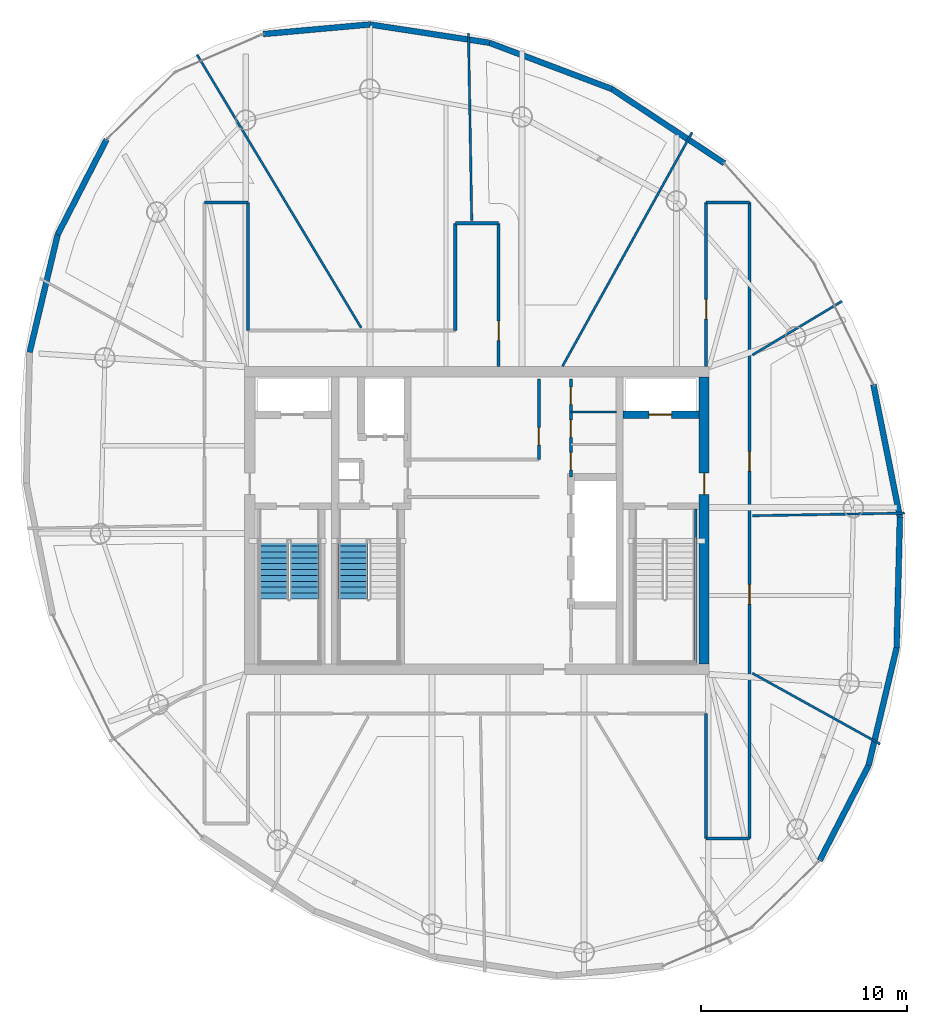
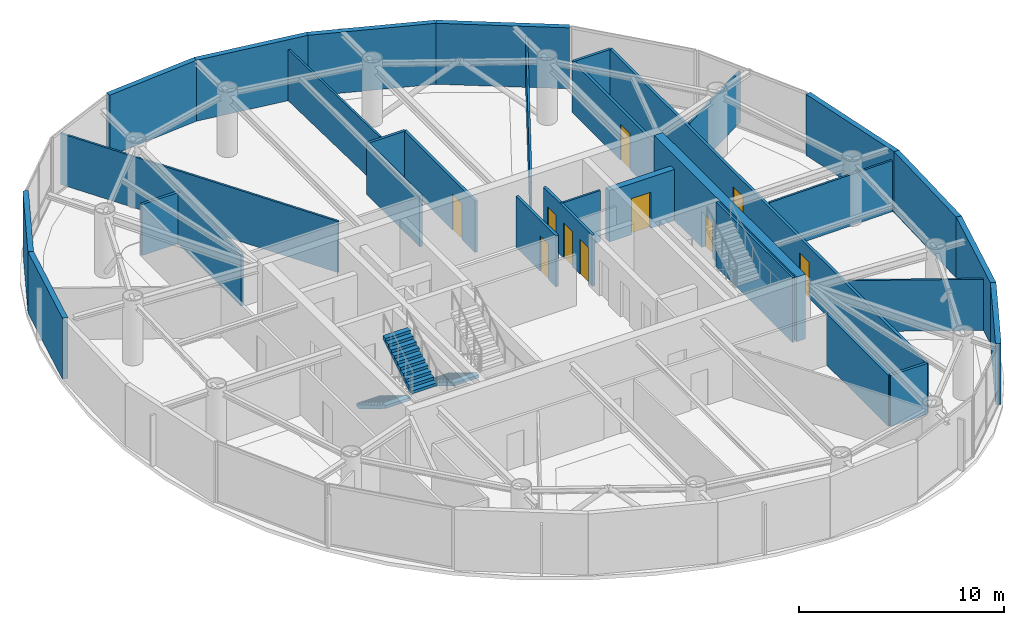
# One storey, part 17 of 21: 32 walls, 10 doors, 3 stair flights, 10 openings, 2 elements without a shape of their own.
"""IFC4 building model written with IfcOpenShell, lengths in metres."""

from ifc_helpers import new_model, si_unit, direction, frame, frame_2d, origin, place, context, subcontext, project, spatial, polyline, rectangle, outline, extrude, material, layer, layer_set, type_object, element, fill, aggregate, save


model = new_model("IFC4")

# Units and contexts
model_context = context("Model", 3, precision=1e-05, world=origin(), true_north=direction((0.0, 1.0)))
body_context = subcontext(model_context, "Body", "Model", "MODEL_VIEW")
ifc_project = project(units=[si_unit("LENGTHUNIT", "METRE"), si_unit("AREAUNIT", "SQUARE_METRE"), si_unit("VOLUMEUNIT", "CUBIC_METRE"), si_unit("PLANEANGLEUNIT", "RADIAN"), si_unit("MASSUNIT", "GRAM", prefix="KILO")], contexts=[model_context])

# Site, building, storey
site_placement = place(None, origin())
site = spatial("IfcSite", under=ifc_project, at=site_placement, CompositionType="ELEMENT")
building_placement = place(site_placement, origin())
building = spatial("IfcBuilding", under=site, at=building_placement, Name="Bramvorn Convention Spire", CompositionType="ELEMENT")
storey_placement = place(building_placement, frame((0.0, 0.0, 257.449951171875)))
storey = spatial("IfcBuildingStorey", under=building, at=storey_placement, Name="L65", CompositionType="ELEMENT", Elevation=257.449951171875)

# Wall, opening, door
ifc_material_1 = material(Name="Concrete C50/60", Category="concrete")
ifc_layer_1 = layer(ifc_material_1, 0.5)
ifc_layer_set_1 = layer_set([ifc_layer_1], Name="Concrete C50/60 - WL-CORE-500")
wall_type_1 = type_object("IfcWallType", Name="WL-CORE-500", PredefinedType="SHEAR", material=ifc_layer_set_1)
wall_1_placement = place(storey_placement, frame((49.0, 19.050048828125, 0.0), z_axis=(0.0, 0.0, 1.0), x_axis=(0.0, 1.0, 0.0)))
wall_1 = element("IfcWall", 1, at=wall_1_placement, inside=storey, type_object=wall_type_1, Name="L65 East RC core shear wall", PredefinedType="SHEAR", context=body_context, shape_type="SweptSolid", body=[
    extrude(rectangle(XDim=13.89990234375, YDim=0.5, at=frame_2d((6.949951171875, 0.0))), origin(), (0.0, 0.0, 1.0), 3.85009765625),
])
opening_1_placement = place(wall_1_placement, frame((8.199951171875, 0.0, 0.0)))
opening_1 = element("IfcOpeningElement", 2, at=opening_1_placement, cuts=wall_1, Name="Opening DL-105", PredefinedType="OPENING", context=body_context, shape_type="SweptSolid", body=[
    extrude(rectangle(XDim=1.050048828125, YDim=2.14990234375, at=frame_2d((0.52490234375, 1.074951171875))), frame((0.0, 0.260009765625, 0.0), z_axis=(0.0, -1.0, 0.0), x_axis=(1.0, 0.0, 0.0)), (0.0, 0.0, 1.0), 0.52001953125),
])
ifc_material_2 = material(Name="Smoke-Sealed Fire Lobby Timber-Core Door", Category="wood")
door_type_1 = type_object("IfcDoorType", Name="DR-LOBBY-1050", OperationType="NOTDEFINED", PredefinedType="DOOR", material=ifc_material_2)
door_1_placement = place(opening_1_placement, origin())
door_1 = element("IfcDoor", 3, at=door_1_placement, inside=storey, type_object=door_type_1, Name="L65 East Firefighting Lobby corridor door", OperationType="SINGLE_SWING_LEFT", OverallHeight=2.14990234375, OverallWidth=1.050048828125, PredefinedType="DOOR", context=body_context, shape_type="SweptSolid", body=[
    extrude(rectangle(XDim=1.050048828125, YDim=2.14990234375, at=frame_2d((0.52490234375, 1.074951171875))), frame((0.0, 0.02490234375, 0.0), z_axis=(0.0, -1.0, 0.0), x_axis=(1.0, 0.0, 0.0)), (0.0, 0.0, 1.0), 0.050048828125),
])
fill(opening_1, door_1)

ifc_layer_2 = layer(ifc_material_1, 0.35009765625)
ifc_layer_set_2 = layer_set([ifc_layer_2], Name="Concrete C50/60 - WL-CORE-INT-350")
wall_type_2 = type_object("IfcWallType", Name="WL-CORE-INT-350", PredefinedType="SHEAR", material=ifc_layer_set_2)
wall_2_placement = place(storey_placement, frame((45.080078125, 31.1201171875, 0.0), z_axis=(0.0, 0.0, 1.0), x_axis=(1.0, 0.0, 0.0)))
wall_2 = element("IfcWall", 4, at=wall_2_placement, inside=storey, type_object=wall_type_2, Name="L65 FE2 shaft front wall", PredefinedType="SHEAR", context=body_context, shape_type="SweptSolid", body=[
    extrude(rectangle(XDim=3.669921875, YDim=0.35009765625, at=frame_2d((1.8349609375, 0.0))), origin(), (0.0, 0.0, 1.0), 3.0400390625),
])
opening_2_placement = place(wall_2_placement, frame((1.25, 0.0, 0.0)))
opening_2 = element("IfcOpeningElement", 5, at=opening_2_placement, cuts=wall_2, Name="Opening LD-110", PredefinedType="OPENING", context=body_context, shape_type="SweptSolid", body=[
    extrude(rectangle(XDim=1.10009765625, YDim=2.14990234375, at=frame_2d((0.550048828125, 1.074951171875))), frame((0.0, 0.18505859375, 0.0), z_axis=(0.0, -1.0, 0.0), x_axis=(1.0, 0.0, 0.0)), (0.0, 0.0, 1.0), 0.3701171875),
])
ifc_material_3 = material(Name="Firefighting & Service Lift Sliding Landing Door", Category="steel")
door_type_2 = type_object("IfcDoorType", Name="DR-LIFT-LD-1100", OperationType="NOTDEFINED", PredefinedType="DOOR", material=ifc_material_3)
door_2_placement = place(opening_2_placement, origin())
door_2 = element("IfcDoor", 6, at=door_2_placement, inside=storey, type_object=door_type_2, Name="L65 Lift FE2 Sliding Landing Door", OperationType="SLIDING_TO_LEFT", OverallHeight=2.14990234375, OverallWidth=1.10009765625, PredefinedType="DOOR", context=body_context, shape_type="SweptSolid", body=[
    extrude(rectangle(XDim=1.10009765625, YDim=2.14990234375, at=frame_2d((0.550048828125, 1.074951171875))), frame((0.0, 0.02490234375, 0.0), z_axis=(0.0, -1.0, 0.0), x_axis=(1.0, 0.0, 0.0)), (0.0, 0.0, 1.0), 0.050048828125),
])
fill(opening_2, door_2)

# Walls
ifc_material_4 = material(Name="Precast Concrete C40/50 with Bronze Terracotta Rainscreen", Category="masonry")
ifc_layer_3 = layer(ifc_material_4, 0.300048828125)
ifc_layer_set_3 = layer_set([ifc_layer_3], Name="Precast Concrete C40/50 with Bronze Terracotta Rainscreen - WL-EXT-BRONZE-300")
wall_type_3 = type_object("IfcWallType", Name="WL-EXT-BRONZE-300", PredefinedType="SOLIDWALL", material=ifc_layer_set_3)
wall_3_placement = place(storey_placement, frame((56.96875, 14.137939453125, 0.0), z_axis=(0.0, 0.0, 1.0), x_axis=(-0.457797416995, -0.889056536443, 0.0)))
element("IfcWall", 7, at=wall_3_placement, inside=storey, type_object=wall_type_3, Name="L65 expressed bronze Gothic lancet pier wall 02", PredefinedType="SOLIDWALL", context=body_context, shape_type="SweptSolid", body=[
    extrude(rectangle(XDim=5.179443359375, YDim=0.280029296875, at=frame_2d((2.58984375, 0.0))), origin(), (0.0, 0.0, 1.0), 3.625),
])
wall_4_placement = place(storey_placement, frame((58.327392578125, 19.838134765625, 0.0), z_axis=(0.0, 0.0, 1.0), x_axis=(-0.231855210835, -0.97275030774, 0.0)))
element("IfcWall", 8, at=wall_4_placement, inside=storey, type_object=wall_type_3, Name="L65 expressed bronze Gothic lancet pier wall 03", PredefinedType="SOLIDWALL", context=body_context, shape_type="SweptSolid", body=[
    extrude(rectangle(XDim=5.85986328125, YDim=0.280029296875, at=frame_2d((2.929931640625, 0.0))), origin(), (0.0, 0.0, 1.0), 3.625),
])
wall_5_placement = place(storey_placement, frame((58.485595703125, 26.181396484375, 0.0), z_axis=(0.0, 0.0, 1.0), x_axis=(-0.024932590226, -0.999689134654, 0.0)))
element("IfcWall", 9, at=wall_5_placement, inside=storey, type_object=wall_type_3, Name="L65 expressed bronze Gothic lancet pier wall 04", PredefinedType="SOLIDWALL", context=body_context, shape_type="SweptSolid", body=[
    extrude(rectangle(XDim=6.34521484375, YDim=0.280029296875, at=frame_2d((3.172607421875, 0.0))), origin(), (0.0, 0.0, 1.0), 3.625),
])
wall_6_placement = place(storey_placement, frame((57.2021484375, 32.580078125, 0.0), z_axis=(0.0, 0.0, 1.0), x_axis=(0.196662861998, -0.98047117179, 0.0)))
element("IfcWall", 10, at=wall_6_placement, inside=storey, type_object=wall_type_3, Name="L65 expressed bronze Gothic lancet pier wall 05", PredefinedType="SOLIDWALL", context=body_context, shape_type="SweptSolid", body=[
    extrude(rectangle(XDim=6.526123046875, YDim=0.280029296875, at=frame_2d((3.26318359375, 0.0))), origin(), (0.0, 0.0, 1.0), 3.625),
])
wall_7_placement = place(storey_placement, frame((44.534912109375, 46.903076171875, 0.0), z_axis=(0.0, 0.0, 1.0), x_axis=(0.834436695952, -0.551103801882, 0.0)))
element("IfcWall", 11, at=wall_7_placement, inside=storey, type_object=wall_type_3, Name="L65 expressed bronze Gothic lancet pier wall 08", PredefinedType="SOLIDWALL", context=body_context, shape_type="SweptSolid", body=[
    extrude(rectangle(XDim=6.5263671875, YDim=0.280029296875, at=frame_2d((3.26318359375, 0.0))), origin(), (0.0, 0.0, 1.0), 3.625),
])
wall_8_placement = place(storey_placement, frame((38.598388671875, 49.142822265625, 0.0), z_axis=(0.0, 0.0, 1.0), x_axis=(0.935625218408, -0.352994972597, 0.0)))
element("IfcWall", 12, at=wall_8_placement, inside=storey, type_object=wall_type_3, Name="L65 expressed bronze Gothic lancet pier wall 09", PredefinedType="SOLIDWALL", context=body_context, shape_type="SweptSolid", body=[
    extrude(rectangle(XDim=6.344970703125, YDim=0.280029296875, at=frame_2d((3.17236328125, 0.0))), origin(), (0.0, 0.0, 1.0), 3.625),
])
wall_9_placement = place(storey_placement, frame((32.8056640625, 50.02880859375, 0.0), z_axis=(0.0, 0.0, 1.0), x_axis=(0.98850473066, -0.151189938364, 0.0)))
element("IfcWall", 13, at=wall_9_placement, inside=storey, type_object=wall_type_3, Name="L65 expressed bronze Gothic lancet pier wall 10", PredefinedType="SOLIDWALL", context=body_context, shape_type="SweptSolid", body=[
    extrude(rectangle(XDim=5.860107421875, YDim=0.280029296875, at=frame_2d((2.93017578125, 0.0))), origin(), (0.0, 0.0, 1.0), 3.625),
])
for number, where, z_axis, x_axis, name in (
    (14, (27.647216796875, 49.564208984375, 0.0), (0.0, 0.0, 1.0), (0.9959685872, 0.089702693996, 0.0), "L65 expressed bronze Gothic lancet pier wall 11"),
    (15, (17.69091796875, 39.852783203125, 0.0), (0.0, 0.0, 1.0), (0.457797416995, 0.889056536443, 0.0), "L65 expressed bronze Gothic lancet pier wall 14"),
):
    element("IfcWall", number, at=place(storey_placement, frame(where, z_axis=z_axis, x_axis=x_axis)), inside=storey, type_object=wall_type_3, Name=name, PredefinedType="SOLIDWALL", context=body_context, shape_type="SweptSolid", body=[
        extrude(rectangle(XDim=5.179443359375, YDim=0.280029296875, at=frame_2d((2.58984375, 0.0))), origin(), (0.0, 0.0, 1.0), 3.625),
    ])
wall_10_placement = place(storey_placement, frame((16.332275390625, 34.152587890625, 0.0), z_axis=(0.0, 0.0, 1.0), x_axis=(0.231855210835, 0.97275030774, 0.0)))
element("IfcWall", 16, at=wall_10_placement, inside=storey, type_object=wall_type_3, Name="L65 expressed bronze Gothic lancet pier wall 15", PredefinedType="SOLIDWALL", context=body_context, shape_type="SweptSolid", body=[
    extrude(rectangle(XDim=5.85986328125, YDim=0.280029296875, at=frame_2d((2.929931640625, 0.0))), origin(), (0.0, 0.0, 1.0), 3.625),
])
ifc_material_5 = material(Name="Lightweight En-Suite & Wet-Wall Partition", Category="gypsum")
ifc_layer_4 = layer(ifc_material_5, 0.110107421875)
ifc_layer_set_4 = layer_set([ifc_layer_4], Name="Lightweight En-Suite & Wet-Wall Partition - WL-PART-110")
wall_type_4 = type_object("IfcWallType", Name="WL-PART-110", PredefinedType="PARTITIONING", material=ifc_layer_set_4)
wall_11_placement = place(storey_placement, frame((42.550048828125, 31.260009765625, 0.0), z_axis=(0.0, 0.0, 1.0), x_axis=(1.0, 0.0, 0.0)))
element("IfcWall", 17, at=wall_11_placement, inside=storey, type_object=wall_type_4, Name="L65 KC NE div 2", PredefinedType="PARTITIONING", context=body_context, shape_type="SweptSolid", body=[
    extrude(rectangle(XDim=2.199951171875, YDim=0.110107421875, at=frame_2d((1.10009765625, 0.0))), origin(), (0.0, 0.0, 1.0), 3.0400390625),
])
wall_12_placement = place(storey_placement, frame((51.340087890625, 26.23291015625, 0.0), z_axis=(0.0, 0.0, 1.0), x_axis=(0.999847502683, 0.017463429752, 0.0)))
element("IfcWall", 18, at=wall_12_placement, inside=storey, type_object=wall_type_4, Name="L65 Tenant suite partition 1", PredefinedType="PARTITIONING", context=body_context, shape_type="SweptSolid", body=[
    extrude(rectangle(XDim=7.381591796875, YDim=0.110107421875, at=frame_2d((3.69091796875, 0.0))), origin(), (0.0, 0.0, 1.0), 3.0400390625),
])
wall_13_placement = place(storey_placement, frame((51.340087890625, 34.015380859375, 0.0), z_axis=(0.0, 0.0, 1.0), x_axis=(0.857148919357, 0.515068665369, 0.0)))
element("IfcWall", 19, at=wall_13_placement, inside=storey, type_object=wall_type_4, Name="L65 Tenant suite partition 2", PredefinedType="PARTITIONING", context=body_context, shape_type="SweptSolid", body=[
    extrude(rectangle(XDim=5.0751953125, YDim=0.110107421875, at=frame_2d((2.53759765625, 0.0))), origin(), (0.0, 0.0, 1.0), 3.0400390625),
])
wall_14_placement = place(storey_placement, frame((42.140625, 33.469970703125, 0.0), z_axis=(0.0, 0.0, 1.0), x_axis=(0.484814100985, 0.87461722341, 0.0)))
element("IfcWall", 20, at=wall_14_placement, inside=storey, type_object=wall_type_4, Name="L65 Tenant suite partition 3", PredefinedType="PARTITIONING", context=body_context, shape_type="SweptSolid", body=[
    extrude(rectangle(XDim=12.95849609375, YDim=0.110107421875, at=frame_2d((6.479248046875, 0.0))), origin(), (0.0, 0.0, 1.0), 3.0400390625),
])
wall_15_placement = place(storey_placement, frame((37.74609375, 40.5400390625, 0.0), z_axis=(0.0, 0.0, 1.0), x_axis=(-0.01744812848, 0.999847769819, 0.0)))
element("IfcWall", 21, at=wall_15_placement, inside=storey, type_object=wall_type_4, Name="L65 Tenant suite partition 4", PredefinedType="PARTITIONING", context=body_context, shape_type="SweptSolid", body=[
    extrude(rectangle(XDim=9.067138671875, YDim=0.110107421875, at=frame_2d((4.53369140625, 0.0))), origin(), (0.0, 0.0, 1.0), 3.0400390625),
])
wall_16_placement = place(storey_placement, frame((32.387939453125, 35.340087890625, 0.0), z_axis=(0.0, 0.0, 1.0), x_axis=(-0.515039699053, 0.857166324817, 0.0)))
element("IfcWall", 22, at=wall_16_placement, inside=storey, type_object=wall_type_4, Name="L65 Tenant suite partition 5", PredefinedType="PARTITIONING", context=body_context, shape_type="SweptSolid", body=[
    extrude(rectangle(XDim=15.442138671875, YDim=0.110107421875, at=frame_2d((7.72119140625, 0.0))), origin(), (0.0, 0.0, 1.0), 3.0400390625),
])
wall_17_placement = place(storey_placement, frame((51.340087890625, 18.60546875, 0.0), z_axis=(0.0, 0.0, 1.0), x_axis=(0.874620424882, -0.484808325403, 0.0)))
element("IfcWall", 23, at=wall_17_placement, inside=storey, type_object=wall_type_4, Name="L65 Tenant suite partition 12", PredefinedType="PARTITIONING", context=body_context, shape_type="SweptSolid", body=[
    extrude(rectangle(XDim=7.080322265625, YDim=0.110107421875, at=frame_2d((3.5400390625, 0.0))), origin(), (0.0, 0.0, 1.0), 3.0400390625),
])

# Wall, opening, door
ifc_material_6 = material(Name="Acoustic Metal-Stud Tenant/Corridor Partition", Category="gypsum")
ifc_layer_5 = layer(ifc_material_6, 0.14990234375)
ifc_layer_set_5 = layer_set([ifc_layer_5], Name="Acoustic Metal-Stud Tenant/Corridor Partition - WL-PART-150")
wall_type_5 = type_object("IfcWallType", Name="WL-PART-150", PredefinedType="PARTITIONING", material=ifc_layer_set_5)
wall_18_placement = place(storey_placement, frame((41.0, 28.949951171875, 0.0), z_axis=(0.0, 0.0, 1.0), x_axis=(0.0, 1.0, 0.0)))
wall_18 = element("IfcWall", 24, at=wall_18_placement, inside=storey, type_object=wall_type_5, Name="L65 Freed north shaft room wall", PredefinedType="PARTITIONING", context=body_context, shape_type="SweptSolid", body=[
    extrude(rectangle(XDim=3.900146484375, YDim=0.14990234375, at=frame_2d((1.9501953125, 0.0))), origin(), (0.0, 0.0, 1.0), 3.0400390625),
])
opening_3_placement = place(wall_18_placement, frame((0.699951171875, 0.0, 0.0)))
opening_3 = element("IfcOpeningElement", 25, at=opening_3_placement, cuts=wall_18, Name="Opening DC-085", PredefinedType="OPENING", context=body_context, shape_type="SweptSolid", body=[
    extrude(rectangle(XDim=0.85009765625, YDim=2.10009765625, at=frame_2d((0.425048828125, 1.050048828125))), frame((0.0, 0.0849609375, 0.0), z_axis=(0.0, -1.0, 0.0), x_axis=(1.0, 0.0, 0.0)), (0.0, 0.0, 1.0), 0.169921875),
])
ifc_material_7 = material(Name="Fire-Rated Core Washroom & IDF Door", Category="wood")
door_type_3 = type_object("IfcDoorType", Name="DR-CORE-850", OperationType="NOTDEFINED", PredefinedType="DOOR", material=ifc_material_7)
door_3_placement = place(opening_3_placement, origin())
door_3 = element("IfcDoor", 26, at=door_3_placement, inside=storey, type_object=door_type_3, Name="L65 North core archive door", OperationType="SINGLE_SWING_LEFT", OverallHeight=2.10009765625, OverallWidth=0.85009765625, PredefinedType="DOOR", context=body_context, shape_type="SweptSolid", body=[
    extrude(rectangle(XDim=0.85009765625, YDim=2.10009765625, at=frame_2d((0.425048828125, 1.050048828125))), frame((0.0, 0.02490234375, 0.0), z_axis=(0.0, -1.0, 0.0), x_axis=(1.0, 0.0, 0.0)), (0.0, 0.0, 1.0), 0.050048828125),
])
fill(opening_3, door_3)

# Wall, openings, doors
wall_19_placement = place(storey_placement, frame((42.550048828125, 28.10009765625, 0.0), z_axis=(0.0, 0.0, 1.0), x_axis=(0.0, 1.0, 0.0)))
wall_19 = element("IfcWall", 27, at=wall_19_placement, inside=storey, type_object=wall_type_5, Name="L65 KC NE wall", PredefinedType="PARTITIONING", context=body_context, shape_type="SweptSolid", body=[
    extrude(rectangle(XDim=4.75, YDim=0.14990234375, at=frame_2d((2.375, 0.0))), origin(), (0.0, 0.0, 1.0), 3.0400390625),
])
opening_4_placement = place(wall_19_placement, frame((0.35009765625, 0.0, 0.0)))
opening_4 = element("IfcOpeningElement", 28, at=opening_4_placement, cuts=wall_19, Name="Opening DC-085", PredefinedType="OPENING", context=body_context, shape_type="SweptSolid", body=[
    extrude(rectangle(XDim=0.85009765625, YDim=2.10009765625, at=frame_2d((0.425048828125, 1.050048828125))), frame((0.0, 0.0849609375, 0.0), z_axis=(0.0, -1.0, 0.0), x_axis=(1.0, 0.0, 0.0)), (0.0, 0.0, 1.0), 0.169921875),
])
opening_5_placement = place(wall_19_placement, frame((1.929931640625, 0.0, 0.0)))
opening_5 = element("IfcOpeningElement", 29, at=opening_5_placement, cuts=wall_19, Name="Opening DC-085", PredefinedType="OPENING", context=body_context, shape_type="SweptSolid", body=[
    extrude(rectangle(XDim=0.85009765625, YDim=2.10009765625, at=frame_2d((0.425048828125, 1.050048828125))), frame((0.0, 0.0849609375, 0.0), z_axis=(0.0, -1.0, 0.0), x_axis=(1.0, 0.0, 0.0)), (0.0, 0.0, 1.0), 0.169921875),
])
opening_6_placement = place(wall_19_placement, frame((3.510009765625, 0.0, 0.0)))
opening_6 = element("IfcOpeningElement", 30, at=opening_6_placement, cuts=wall_19, Name="Opening DC-085", PredefinedType="OPENING", context=body_context, shape_type="SweptSolid", body=[
    extrude(rectangle(XDim=0.85009765625, YDim=2.10009765625, at=frame_2d((0.425048828125, 1.050048828125))), frame((0.0, 0.0849609375, 0.0), z_axis=(0.0, -1.0, 0.0), x_axis=(1.0, 0.0, 0.0)), (0.0, 0.0, 1.0), 0.169921875),
])
door_4_placement = place(opening_4_placement, origin())
door_4 = element("IfcDoor", 31, at=door_4_placement, inside=storey, type_object=door_type_3, Name="L65 Accessible Core Restroom door", OperationType="SINGLE_SWING_LEFT", OverallHeight=2.10009765625, OverallWidth=0.85009765625, PredefinedType="DOOR", context=body_context, shape_type="SweptSolid", body=[
    extrude(rectangle(XDim=0.85009765625, YDim=2.10009765625, at=frame_2d((0.425048828125, 1.050048828125))), frame((0.0, 0.02490234375, 0.0), z_axis=(0.0, -1.0, 0.0), x_axis=(1.0, 0.0, 0.0)), (0.0, 0.0, 1.0), 0.050048828125),
])
fill(opening_4, door_4)
door_5_placement = place(opening_5_placement, origin())
door_5 = element("IfcDoor", 32, at=door_5_placement, inside=storey, type_object=door_type_3, Name="L65 Tenant Pantry & Copy Centre door", OperationType="SINGLE_SWING_LEFT", OverallHeight=2.10009765625, OverallWidth=0.85009765625, PredefinedType="DOOR", context=body_context, shape_type="SweptSolid", body=[
    extrude(rectangle(XDim=0.85009765625, YDim=2.10009765625, at=frame_2d((0.425048828125, 1.050048828125))), frame((0.0, 0.02490234375, 0.0), z_axis=(0.0, -1.0, 0.0), x_axis=(1.0, 0.0, 0.0)), (0.0, 0.0, 1.0), 0.050048828125),
])
fill(opening_5, door_5)
door_6_placement = place(opening_6_placement, origin())
door_6 = element("IfcDoor", 33, at=door_6_placement, inside=storey, type_object=door_type_3, Name="L65 Core Comms Closet door", OperationType="SINGLE_SWING_LEFT", OverallHeight=2.10009765625, OverallWidth=0.85009765625, PredefinedType="DOOR", context=body_context, shape_type="SweptSolid", body=[
    extrude(rectangle(XDim=0.85009765625, YDim=2.10009765625, at=frame_2d((0.425048828125, 1.050048828125))), frame((0.0, 0.02490234375, 0.0), z_axis=(0.0, -1.0, 0.0), x_axis=(1.0, 0.0, 0.0)), (0.0, 0.0, 1.0), 0.050048828125),
])
fill(opening_6, door_6)

# Walls
wall_20_placement = place(storey_placement, frame((26.89990234375, 35.199951171875, 0.0), z_axis=(0.0, 0.0, 1.0), x_axis=(0.0, 1.0, 0.0)))
element("IfcWall", 34, at=wall_20_placement, inside=storey, type_object=wall_type_5, Name="L65 West gallery NE wall", PredefinedType="PARTITIONING", context=body_context, shape_type="SweptSolid", body=[
    extrude(rectangle(XDim=6.199951171875, YDim=0.14990234375, at=frame_2d((3.10009765625, 0.0))), origin(), (0.0, 0.0, 1.0), 3.0400390625),
])
wall_21_placement = place(storey_placement, frame((24.800048828125, 41.39990234375, 0.0), z_axis=(0.0, 0.0, 1.0), x_axis=(1.0, 0.0, 0.0)))
element("IfcWall", 35, at=wall_21_placement, inside=storey, type_object=wall_type_5, Name="L65 West gallery north end", PredefinedType="PARTITIONING", context=body_context, shape_type="SweptSolid", body=[
    extrude(rectangle(XDim=2.099853515625, YDim=0.14990234375, at=frame_2d((1.0498046875, 0.0))), origin(), (0.0, 0.0, 1.0), 3.0400390625),
])

# Wall, openings, doors
wall_22_placement = place(storey_placement, frame((51.199951171875, 10.60009765625, 0.0), z_axis=(0.0, 0.0, 1.0), x_axis=(0.0, 1.0, 0.0)))
wall_22 = element("IfcWall", 36, at=wall_22_placement, inside=storey, type_object=wall_type_5, Name="L65 East N-S gallery outer wall", PredefinedType="PARTITIONING", context=body_context, shape_type="SweptSolid", body=[
    extrude(rectangle(XDim=30.7998046875, YDim=0.14990234375, at=frame_2d((15.39990234375, 0.0))), origin(), (0.0, 0.0, 1.0), 3.0400390625),
])
opening_7_placement = place(wall_22_placement, frame((17.7900390625, 0.0, 0.0)))
opening_7 = element("IfcOpeningElement", 37, at=opening_7_placement, cuts=wall_22, Name="Opening DH-095", PredefinedType="OPENING", context=body_context, shape_type="SweptSolid", body=[
    extrude(rectangle(XDim=0.949951171875, YDim=2.14990234375, at=frame_2d((0.47509765625, 1.074951171875))), frame((0.0, 0.0849609375, 0.0), z_axis=(0.0, -1.0, 0.0), x_axis=(1.0, 0.0, 0.0)), (0.0, 0.0, 1.0), 0.169921875),
])
opening_8_placement = place(wall_22_placement, frame((11.34814453125, 0.0, 0.0)))
opening_8 = element("IfcOpeningElement", 38, at=opening_8_placement, cuts=wall_22, Name="Opening DH-095", PredefinedType="OPENING", context=body_context, shape_type="SweptSolid", body=[
    extrude(rectangle(XDim=0.949951171875, YDim=2.14990234375, at=frame_2d((0.47509765625, 1.074951171875))), frame((0.0, 0.0849609375, 0.0), z_axis=(0.0, -1.0, 0.0), x_axis=(1.0, 0.0, 0.0)), (0.0, 0.0, 1.0), 0.169921875),
])
ifc_material_8 = material(Name="Solid-Core Acoustic Guestroom Entry Door", Category="wood")
door_type_4 = type_object("IfcDoorType", Name="DR-HOTEL-950", OperationType="NOTDEFINED", PredefinedType="DOOR", material=ifc_material_8)
door_7_placement = place(opening_7_placement, origin())
door_7 = element("IfcDoor", 39, at=door_7_placement, inside=storey, type_object=door_type_4, Name="L65 Partner Office Chamber 1 1 door", OperationType="SINGLE_SWING_RIGHT", OverallHeight=2.14990234375, OverallWidth=0.949951171875, PredefinedType="DOOR", context=body_context, shape_type="SweptSolid", body=[
    extrude(rectangle(XDim=0.949951171875, YDim=2.14990234375, at=frame_2d((0.47509765625, 1.074951171875))), frame((0.0, 0.02490234375, 0.0), z_axis=(0.0, -1.0, 0.0), x_axis=(1.0, 0.0, 0.0)), (0.0, 0.0, 1.0), 0.050048828125),
])
fill(opening_7, door_7)
door_8_placement = place(opening_8_placement, origin())
door_8 = element("IfcDoor", 40, at=door_8_placement, inside=storey, type_object=door_type_4, Name="L65 Partner Office Chamber 1 12 door", OperationType="SINGLE_SWING_RIGHT", OverallHeight=2.14990234375, OverallWidth=0.949951171875, PredefinedType="DOOR", context=body_context, shape_type="SweptSolid", body=[
    extrude(rectangle(XDim=0.949951171875, YDim=2.14990234375, at=frame_2d((0.47509765625, 1.074951171875))), frame((0.0, 0.02490234375, 0.0), z_axis=(0.0, -1.0, 0.0), x_axis=(1.0, 0.0, 0.0)), (0.0, 0.0, 1.0), 0.050048828125),
])
fill(opening_8, door_8)

# Wall
wall_23_placement = place(storey_placement, frame((49.10009765625, 10.60009765625, 0.0), z_axis=(0.0, 0.0, 1.0), x_axis=(0.0, 1.0, 0.0)))
element("IfcWall", 41, at=wall_23_placement, inside=storey, type_object=wall_type_5, Name="L65 East gallery SW wall", PredefinedType="PARTITIONING", context=body_context, shape_type="SweptSolid", body=[
    extrude(rectangle(XDim=6.0498046875, YDim=0.14990234375, at=frame_2d((3.02490234375, 0.0))), origin(), (0.0, 0.0, 1.0), 3.0400390625),
])

# Wall, opening, door
wall_24_placement = place(storey_placement, frame((49.10009765625, 33.449951171875, 0.0), z_axis=(0.0, 0.0, 1.0), x_axis=(0.0, 1.0, 0.0)))
wall_24 = element("IfcWall", 42, at=wall_24_placement, inside=storey, type_object=wall_type_5, Name="L65 East gallery NW wall", PredefinedType="PARTITIONING", context=body_context, shape_type="SweptSolid", body=[
    extrude(rectangle(XDim=7.949951171875, YDim=0.14990234375, at=frame_2d((3.97509765625, 0.0))), origin(), (0.0, 0.0, 1.0), 3.0400390625),
])
opening_9_placement = place(wall_24_placement, frame((2.3076171875, 0.0, 0.0)))
opening_9 = element("IfcOpeningElement", 43, at=opening_9_placement, cuts=wall_24, Name="Opening DH-095", PredefinedType="OPENING", context=body_context, shape_type="SweptSolid", body=[
    extrude(rectangle(XDim=0.949951171875, YDim=2.14990234375, at=frame_2d((0.47509765625, 1.074951171875))), frame((0.0, 0.0849609375, 0.0), z_axis=(0.0, -1.0, 0.0), x_axis=(1.0, 0.0, 0.0)), (0.0, 0.0, 1.0), 0.169921875),
])
door_9_placement = place(opening_9_placement, origin())
door_9 = element("IfcDoor", 44, at=door_9_placement, inside=storey, type_object=door_type_4, Name="L65 Partner Office Chamber 2 2 door", OperationType="SINGLE_SWING_LEFT", OverallHeight=2.14990234375, OverallWidth=0.949951171875, PredefinedType="DOOR", context=body_context, shape_type="SweptSolid", body=[
    extrude(rectangle(XDim=0.949951171875, YDim=2.14990234375, at=frame_2d((0.47509765625, 1.074951171875))), frame((0.0, 0.02490234375, 0.0), z_axis=(0.0, -1.0, 0.0), x_axis=(1.0, 0.0, 0.0)), (0.0, 0.0, 1.0), 0.050048828125),
])
fill(opening_9, door_9)

# Walls
for number, where, z_axis, x_axis, name in (
    (45, (49.10009765625, 10.60009765625, 0.0), (0.0, 0.0, 1.0), (1.0, 0.0, 0.0), "L65 East gallery south end"),
    (46, (49.10009765625, 41.39990234375, 0.0), (0.0, 0.0, 1.0), (1.0, 0.0, 0.0), "L65 East gallery north end"),
):
    element("IfcWall", number, at=place(storey_placement, frame(where, z_axis=z_axis, x_axis=x_axis)), inside=storey, type_object=wall_type_5, Name=name, PredefinedType="PARTITIONING", context=body_context, shape_type="SweptSolid", body=[
        extrude(rectangle(XDim=2.099853515625, YDim=0.14990234375, at=frame_2d((1.0498046875, 0.0))), origin(), (0.0, 0.0, 1.0), 3.0400390625),
    ])
wall_25_placement = place(storey_placement, frame((36.949951171875, 35.199951171875, 0.0), z_axis=(0.0, 0.0, 1.0), x_axis=(0.0, 1.0, 0.0)))
element("IfcWall", 47, at=wall_25_placement, inside=storey, type_object=wall_type_5, Name="L65 North spur west wall", PredefinedType="PARTITIONING", context=body_context, shape_type="SweptSolid", body=[
    extrude(rectangle(XDim=5.199951171875, YDim=0.14990234375, at=frame_2d((2.60009765625, 0.0))), origin(), (0.0, 0.0, 1.0), 3.0400390625),
])

# Wall, opening, door
wall_26_placement = place(storey_placement, frame((39.050048828125, 33.449951171875, 0.0), z_axis=(0.0, 0.0, 1.0), x_axis=(0.0, 1.0, 0.0)))
wall_26 = element("IfcWall", 48, at=wall_26_placement, inside=storey, type_object=wall_type_5, Name="L65 North spur east wall", PredefinedType="PARTITIONING", context=body_context, shape_type="SweptSolid", body=[
    extrude(rectangle(XDim=6.949951171875, YDim=0.14990234375, at=frame_2d((3.47509765625, 0.0))), origin(), (0.0, 0.0, 1.0), 3.0400390625),
])
opening_10_placement = place(wall_26_placement, frame((1.262451171875, 0.0, 0.0)))
opening_10 = element("IfcOpeningElement", 49, at=opening_10_placement, cuts=wall_26, Name="Opening DH-095", PredefinedType="OPENING", context=body_context, shape_type="SweptSolid", body=[
    extrude(rectangle(XDim=0.949951171875, YDim=2.14990234375, at=frame_2d((0.47509765625, 1.074951171875))), frame((0.0, 0.0849609375, 0.0), z_axis=(0.0, -1.0, 0.0), x_axis=(1.0, 0.0, 0.0)), (0.0, 0.0, 1.0), 0.169921875),
])
door_10_placement = place(opening_10_placement, origin())
door_10 = element("IfcDoor", 50, at=door_10_placement, inside=storey, type_object=door_type_4, Name="L65 Partner Office Chamber 3 3 door", OperationType="SINGLE_SWING_RIGHT", OverallHeight=2.14990234375, OverallWidth=0.949951171875, PredefinedType="DOOR", context=body_context, shape_type="SweptSolid", body=[
    extrude(rectangle(XDim=0.949951171875, YDim=2.14990234375, at=frame_2d((0.47509765625, 1.074951171875))), frame((0.0, 0.02490234375, 0.0), z_axis=(0.0, -1.0, 0.0), x_axis=(1.0, 0.0, 0.0)), (0.0, 0.0, 1.0), 0.050048828125),
])
fill(opening_10, door_10)

# Walls
wall_27_placement = place(storey_placement, frame((36.949951171875, 40.39990234375, 0.0), z_axis=(0.0, 0.0, 1.0), x_axis=(1.0, 0.0, 0.0)))
element("IfcWall", 51, at=wall_27_placement, inside=storey, type_object=wall_type_5, Name="L65 North spur end wall", PredefinedType="PARTITIONING", context=body_context, shape_type="SweptSolid", body=[
    extrude(rectangle(XDim=2.10009765625, YDim=0.14990234375, at=frame_2d((1.050048828125, 0.0))), origin(), (0.0, 0.0, 1.0), 3.0400390625),
])
ifc_layer_6 = layer(ifc_material_1, 0.1201171875)
ifc_layer_set_6 = layer_set([ifc_layer_6], Name="Concrete C50/60 - WL-STAIR-RC-120")
wall_type_6 = type_object("IfcWallType", Name="WL-STAIR-RC-120", PredefinedType="SHEAR", material=ifc_layer_set_6)
wall_28_placement = place(storey_placement, frame((48.60498046875, 19.10009765625, 0.0), z_axis=(0.0, 0.0, 1.0), x_axis=(0.0, 1.0, 0.0)))
element("IfcWall", 52, at=wall_28_placement, inside=storey, type_object=wall_type_6, Name="L65 ST2 east bearing shear wall", PredefinedType="SHEAR", context=body_context, shape_type="SweptSolid", body=[
    extrude(rectangle(XDim=7.449951171875, YDim=0.1201171875, at=frame_2d((3.72509765625, 0.0))), origin(), (0.0, 0.0, 1.0), 3.85009765625),
])

# Stair, stair flights
ifc_material_9 = material(Name="Concrete C40/50 Precast Stair", Category="concrete")
stair_type = type_object("IfcStairType", Name="ST-TOWER-1550", PredefinedType="HALF_TURN_STAIR", material=ifc_material_9)
stair_1_placement = place(storey_placement, origin())
stair_1 = element("IfcStair", 53, at=stair_1_placement, inside=storey, type_object=stair_type, Name="L65 Protected Exit Stair ST1", PredefinedType="HALF_TURN_STAIR")
ifc_material_10 = material(Name="Concrete C40/50 Precast Stair Flight", Category="concrete")
stair_flight_type = type_object("IfcStairFlightType", Name="STF-TOWER-1550", PredefinedType="STRAIGHT", material=ifc_material_10)
stair_flight_1_placement = place(storey_placement, frame((28.155029296875, 25.050048828125, 0.0), z_axis=(0.0, 0.0, 1.0), x_axis=(0.0, -1.0, 0.0)))
stair_flight_1 = element("IfcStairFlight", 54, at=stair_flight_1_placement, type_object=stair_flight_type, Name="ST1 flight 1", NumberOfRisers=11, NumberOfTreads=10, PredefinedType="STRAIGHT", RiserHeight=0.175, TreadLength=0.285, context=body_context, shape_type="SweptSolid", body=[
    extrude(outline(polyline([(0.0, 0.0), (0.0, 0.175048828125), (0.284912109375, 0.175048828125), (0.284912109375, 0.35009765625), (0.570068359375, 0.35009765625), (0.570068359375, 0.52490234375), (0.85498046875, 0.52490234375), (0.85498046875, 0.699951171875), (1.139892578125, 0.699951171875), (1.139892578125, 0.875), (1.425048828125, 0.875), (1.425048828125, 1.050048828125), (1.7099609375, 1.050048828125), (1.7099609375, 1.22509765625), (1.9951171875, 1.22509765625), (1.9951171875, 1.39990234375), (2.280029296875, 1.39990234375), (2.280029296875, 1.574951171875), (2.56494140625, 1.574951171875), (2.56494140625, 1.75), (2.85009765625, 1.75), (2.85009765625, 1.925048828125), (2.85009765625, 1.573974609375), (0.286376953125, 0.0), (0.0, 0.0)])), frame((0.0, 0.705078125, 0.0), z_axis=(0.0, -1.0, 0.0), x_axis=(1.0, 0.0, 0.0)), (0.0, 0.0, 1.0), 1.409912109375),
])
stair_flight_2_placement = place(storey_placement, frame((29.64501953125, 22.199951171875, 1.925048828125), z_axis=(0.0, 0.0, 1.0), x_axis=(0.0, 1.0, 0.0)))
stair_flight_2 = element("IfcStairFlight", 55, at=stair_flight_2_placement, type_object=stair_flight_type, Name="ST1 flight 2", NumberOfRisers=11, NumberOfTreads=10, PredefinedType="STRAIGHT", RiserHeight=0.175, TreadLength=0.285, context=body_context, shape_type="SweptSolid", body=[
    extrude(outline(polyline([(0.0, 0.0), (0.0, 0.175048828125), (0.284912109375, 0.175048828125), (0.284912109375, 0.35009765625), (0.570068359375, 0.35009765625), (0.570068359375, 0.52490234375), (0.85498046875, 0.52490234375), (0.85498046875, 0.699951171875), (1.139892578125, 0.699951171875), (1.139892578125, 0.875), (1.425048828125, 0.875), (1.425048828125, 1.050048828125), (1.7099609375, 1.050048828125), (1.7099609375, 1.22509765625), (1.9951171875, 1.22509765625), (1.9951171875, 1.39990234375), (2.280029296875, 1.39990234375), (2.280029296875, 1.574951171875), (2.56494140625, 1.574951171875), (2.56494140625, 1.75), (2.85009765625, 1.75), (2.85009765625, 1.925048828125), (2.85009765625, 1.573974609375), (0.286376953125, 0.0), (0.0, 0.0)])), frame((0.0, 0.705078125, 0.0), z_axis=(0.0, -1.0, 0.0), x_axis=(1.0, 0.0, 0.0)), (0.0, 0.0, 1.0), 1.409912109375),
])
aggregate(stair_1, [stair_flight_1, stair_flight_2])

# Stair, stair flight
stair_2_placement = place(storey_placement, origin())
stair_2 = element("IfcStair", 56, at=stair_2_placement, inside=storey, type_object=stair_type, Name="L65 Protected Exit Stair ST3", PredefinedType="HALF_TURN_STAIR")
stair_flight_3_placement = place(storey_placement, frame((32.0048828125, 25.050048828125, 0.0), z_axis=(0.0, 0.0, 1.0), x_axis=(0.0, -1.0, 0.0)))
stair_flight_3 = element("IfcStairFlight", 57, at=stair_flight_3_placement, type_object=stair_flight_type, Name="ST3 flight 1", NumberOfRisers=11, NumberOfTreads=10, PredefinedType="STRAIGHT", RiserHeight=0.175, TreadLength=0.285, context=body_context, shape_type="SweptSolid", body=[
    extrude(outline(polyline([(0.0, 0.0), (0.0, 0.175048828125), (0.284912109375, 0.175048828125), (0.284912109375, 0.35009765625), (0.570068359375, 0.35009765625), (0.570068359375, 0.52490234375), (0.85498046875, 0.52490234375), (0.85498046875, 0.699951171875), (1.139892578125, 0.699951171875), (1.139892578125, 0.875), (1.425048828125, 0.875), (1.425048828125, 1.050048828125), (1.7099609375, 1.050048828125), (1.7099609375, 1.22509765625), (1.9951171875, 1.22509765625), (1.9951171875, 1.39990234375), (2.280029296875, 1.39990234375), (2.280029296875, 1.574951171875), (2.56494140625, 1.574951171875), (2.56494140625, 1.75), (2.85009765625, 1.75), (2.85009765625, 1.925048828125), (2.85009765625, 1.573974609375), (0.286376953125, 0.0), (0.0, 0.0)])), frame((0.0, 0.705078125, 0.0), z_axis=(0.0, -1.0, 0.0), x_axis=(1.0, 0.0, 0.0)), (0.0, 0.0, 1.0), 1.409912109375),
])
aggregate(stair_2, [stair_flight_3])

save(model, "model.ifc")
